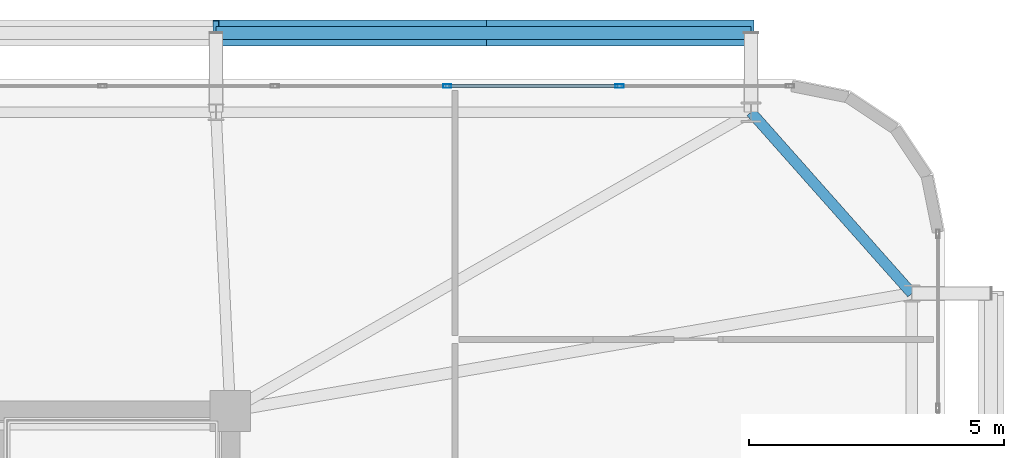
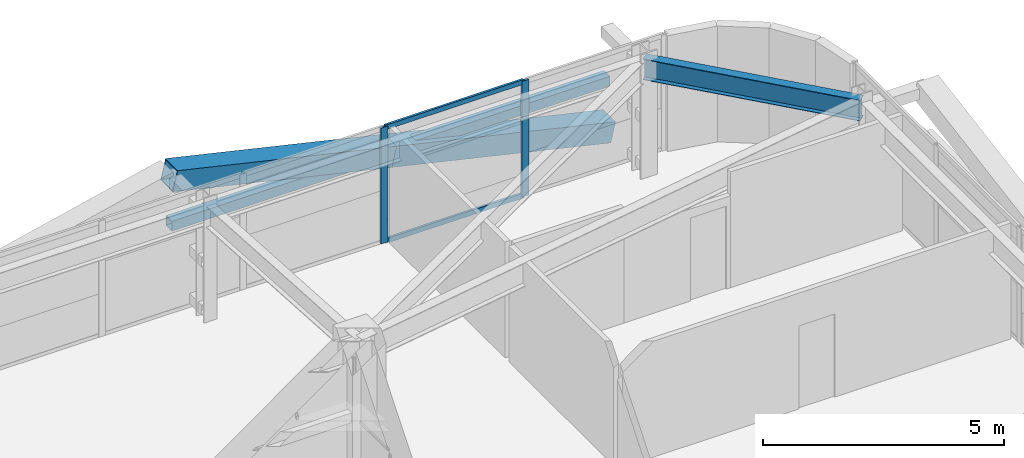
# One storey, part 40 of 59: 7 members, 1 beam, 1 element without a shape of its own.
"""IFC4 building model written with IfcOpenShell, lengths in metres."""

from ifc_helpers import new_model, si_unit, direction, frame, origin, origin_2d, place, context, subcontext, project, spatial, hollow_rectangle, i_section, extrude, source, transform, mapped, material, layer, layer_set, material_profile, profile_set, type_object, element, aggregate, save


model = new_model("IFC4")

# Units and contexts
model_context = context("Model", 3, precision=1e-05, world=origin(), true_north=direction((0.0, 1.0)))
body_context = subcontext(model_context, "Body", "Model", "MODEL_VIEW")
ifc_project = project(units=[si_unit("LENGTHUNIT", "METRE"), si_unit("AREAUNIT", "SQUARE_METRE"), si_unit("VOLUMEUNIT", "CUBIC_METRE"), si_unit("PLANEANGLEUNIT", "RADIAN"), si_unit("MASSUNIT", "GRAM", prefix="KILO")], contexts=[model_context])

# Site, building, storey
site_placement = place(None, origin())
site = spatial("IfcSite", under=ifc_project, at=site_placement, CompositionType="ELEMENT")
building_placement = place(site_placement, origin())
building = spatial("IfcBuilding", under=site, at=building_placement, Name="Taldren Reach Tower", CompositionType="ELEMENT")
storey_placement = place(building_placement, frame((0.0, 0.0, 19.949951171875)))
storey = spatial("IfcBuildingStorey", under=building, at=storey_placement, Name="L05", CompositionType="ELEMENT", Elevation=19.949951171875)

# Beam
ifc_material_1 = material(Name="Steel Gr 350 (350PLUS)", Category="steel")
ifc_material_profile_1 = material_profile(ifc_material_1, i_section(OverallWidth=0.208984375, OverallDepth=0.528076171875, WebThickness=0.009521484375, FlangeThickness=0.01318359375, at=origin_2d()), Name="530UB82.0")
ifc_profile_set_1 = profile_set([ifc_material_profile_1], Name="Steel Gr 350 (350PLUS)")
beam_type = type_object("IfcBeamType", Name="SP-UB530B", PredefinedType="SPANDREL", material=ifc_profile_set_1)
shared_shape_1 = source(origin(), body_context, "Body", "SweptSolid", [
    extrude(i_section(OverallWidth=0.208984375, OverallDepth=0.528076171875, WebThickness=0.009521484375, FlangeThickness=0.01318359375, at=origin_2d()), origin(), (0.0, 0.0, 1.0), 4.74609375),
])
beam_placement = place(storey_placement, frame((64.35009765625, 34.300048828125, 2.666015625), z_axis=(-0.663721843779, 0.747979487747, 0.0), x_axis=(-0.747979487747, -0.663721843779, 0.0)))
element("IfcBeam", 1, at=beam_placement, inside=storey, type_object=beam_type, Name="Perimeter spandrel B1 E3-N6 L05", PredefinedType="SPANDREL", context=body_context, shape_type="MappedRepresentation", body=[
    mapped(shared_shape_1, transform((0.0, 0.0, 0.0), scale=1.0)),
])

# Members
ifc_material_2 = material(Name="Steel Gr 450 (C450L0)", Category="steel")
ifc_material_profile_2 = material_profile(ifc_material_2, hollow_rectangle(XDim=0.510009765625, YDim=0.510009765625, WallThickness=0.02001953125, at=origin_2d()), Name="510x510x20.0SHS")
ifc_profile_set_2 = profile_set([ifc_material_profile_2], Name="Steel Gr 450 (C450L0)")
member_type_1 = type_object("IfcMemberType", Name="MB-EXO508", PredefinedType="BRACE", material=ifc_profile_set_2)
shared_shape_2 = source(origin(), body_context, "Body", "SweptSolid", [
    extrude(hollow_rectangle(XDim=0.510009765625, YDim=0.510009765625, WallThickness=0.02001953125, at=origin_2d()), origin(), (0.0, 0.0, 1.0), 5.37890625),
])
for number, where, z_axis, x_axis, name in (
    (2, (61.199951171875, 39.39990234375, 0.219970703125), (-0.97415197996, 0.0, 0.225893603143), (0.0, -1.0, 0.0), "Exoskeleton Diagrid Brace B1-N5 L05"),
    (3, (55.9599609375, 39.39990234375, 1.43505859375), (-0.97415197996, 0.0, 0.225893603143), (0.0, -1.0, 0.0), "Exoskeleton Diagrid Brace B1-N5 L05"),
):
    element("IfcMember", number, at=place(storey_placement, frame(where, z_axis=z_axis, x_axis=x_axis)), inside=storey, type_object=member_type_1, Name=name, PredefinedType="BRACE", context=body_context, shape_type="MappedRepresentation", body=[
        mapped(shared_shape_2, transform((0.0, 0.0, 0.0), scale=1.0)),
    ])
ifc_material_3 = material(Name="Steel Gr 350 (C350L0)", Category="steel")
ifc_material_profile_3 = material_profile(ifc_material_3, hollow_rectangle(XDim=0.25, YDim=0.25, WallThickness=0.010009765625, at=origin_2d()), Name="250x250x10.0SHS")
ifc_profile_set_3 = profile_set([ifc_material_profile_3], Name="Steel Gr 350 (C350L0)")
member_type_2 = type_object("IfcMemberType", Name="MB-POST250", PredefinedType="POST", material=ifc_profile_set_3)
shared_shape_3 = source(origin(), body_context, "Body", "SweptSolid", [
    extrude(hollow_rectangle(XDim=0.25, YDim=0.25, WallThickness=0.010009765625, at=origin_2d()), origin(), (0.0, 0.0, 1.0), 10.47998046875),
])
member_1_placement = place(storey_placement, frame((50.719970703125, 39.39990234375, 1.43505859375), z_axis=(1.0, 0.0, 0.0), x_axis=(0.0, 1.0, 0.0)))
element("IfcMember", 4, at=member_1_placement, inside=storey, type_object=member_type_2, Name="Exoskeleton mid-height ring chord B1-N5 L05", PredefinedType="POST", context=body_context, shape_type="MappedRepresentation", body=[
    mapped(shared_shape_3, transform((0.0, 0.0, 0.0), scale=1.0)),
])

# Curtain wall, members
ifc_material_4 = material(Name="Aluminium and Low-E Glass Unitised System", Category="aluminium")
ifc_layer = layer(ifc_material_4, 0.159912109375)
ifc_layer_set = layer_set([ifc_layer], Name="Aluminium and Low-E Glass Unitised System")
curtain_wall_type = type_object("IfcCurtainWallType", Name="CW-SYS-2", PredefinedType="NOTDEFINED", material=ifc_layer_set)
curtain_wall_placement = place(storey_placement, origin())
curtain_wall = element("IfcCurtainWall", 5, at=curtain_wall_placement, inside=storey, type_object=curtain_wall_type, Name="Unitised curtain wall CW-L05-N", PredefinedType="NOTDEFINED")
ifc_material_5 = material(Name="Anodised Aluminium 6063-T6", Category="aluminium")
ifc_material_profile_4 = material_profile(ifc_material_5, hollow_rectangle(XDim=0.06494140625, YDim=0.1650390625, WallThickness=0.00390625, at=origin_2d()), Name="ALU-165x65x4RHS")
ifc_profile_set_4 = profile_set([ifc_material_profile_4], Name="Anodised Aluminium 6063-T6")
member_type_3 = type_object("IfcMemberType", Name="CW-MUL-165", PredefinedType="MULLION", material=ifc_profile_set_4)
shared_shape_4 = source(origin(), body_context, "Body", "SweptSolid", [
    extrude(hollow_rectangle(XDim=0.06494140625, YDim=0.1650390625, WallThickness=0.00390625, at=origin_2d()), origin(), (0.0, 0.0, 1.0), 2.929931640625),
])
member_2_placement = place(storey_placement, frame((58.625, 38.360107421875, 0.0), z_axis=(0.0, 0.0, 1.0), x_axis=(0.0, -1.0, 0.0)))
member_2 = element("IfcMember", 6, at=member_2_placement, type_object=member_type_3, Name="CW-2 mullion 2", PredefinedType="MULLION", context=body_context, shape_type="MappedRepresentation", body=[
    mapped(shared_shape_4, transform((0.0, 0.0, 0.0), scale=1.0)),
])
member_3_placement = place(storey_placement, frame((55.25, 38.360107421875, 0.0), z_axis=(0.0, 0.0, 1.0), x_axis=(0.0, -1.0, 0.0)))
member_3 = element("IfcMember", 7, at=member_3_placement, type_object=member_type_3, Name="CW-2 mullion 3", PredefinedType="MULLION", context=body_context, shape_type="MappedRepresentation", body=[
    mapped(shared_shape_4, transform((0.0, 0.0, 0.0), scale=1.0)),
])
ifc_material_profile_5 = material_profile(ifc_material_5, hollow_rectangle(XDim=0.054931640625, YDim=0.1201171875, WallThickness=0.0029296875, at=origin_2d()), Name="ALU-120x55x3RHS")
ifc_profile_set_5 = profile_set([ifc_material_profile_5], Name="Anodised Aluminium 6063-T6")
member_type_4 = type_object("IfcMemberType", Name="CW-TRN-135", PredefinedType="USERDEFINED", material=ifc_profile_set_5)
shared_shape_5 = source(origin(), body_context, "Body", "SweptSolid", [
    extrude(hollow_rectangle(XDim=0.054931640625, YDim=0.1201171875, WallThickness=0.0029296875, at=origin_2d()), origin(), (0.0, 0.0, 1.0), 3.31005859375),
])
member_4_placement = place(storey_placement, frame((58.592529296875, 38.360107421875, 0.027587890625), z_axis=(-1.0, 0.0, 0.0), x_axis=(0.0, -1.0, 0.0)))
member_4 = element("IfcMember", 8, at=member_4_placement, type_object=member_type_4, Name="CW-2 transom 2.1", ObjectType="TRANSOM", PredefinedType="USERDEFINED", context=body_context, shape_type="MappedRepresentation", body=[
    mapped(shared_shape_5, transform((0.0, 0.0, 0.0), scale=1.0)),
])
member_5_placement = place(storey_placement, frame((58.592529296875, 38.360107421875, 2.902587890625), z_axis=(-1.0, 0.0, 0.0), x_axis=(0.0, -1.0, 0.0)))
member_5 = element("IfcMember", 9, at=member_5_placement, type_object=member_type_4, Name="CW-2 transom 2.2", ObjectType="TRANSOM", PredefinedType="USERDEFINED", context=body_context, shape_type="MappedRepresentation", body=[
    mapped(shared_shape_5, transform((0.0, 0.0, 0.0), scale=1.0)),
])
aggregate(curtain_wall, [member_2, member_3, member_4, member_5])

save(model, "model.ifc")
